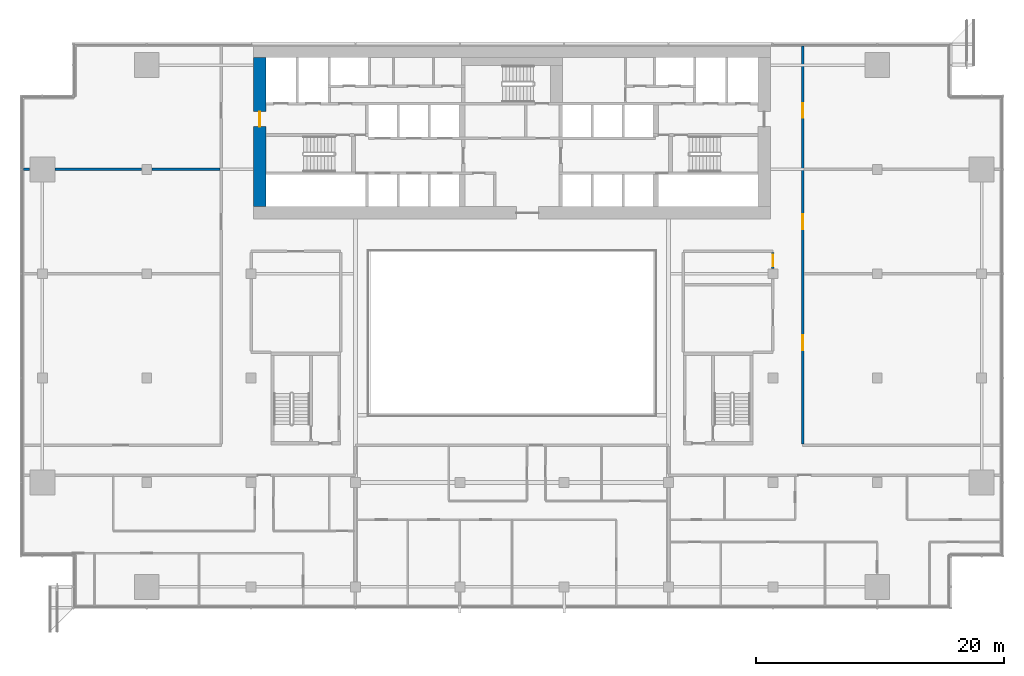
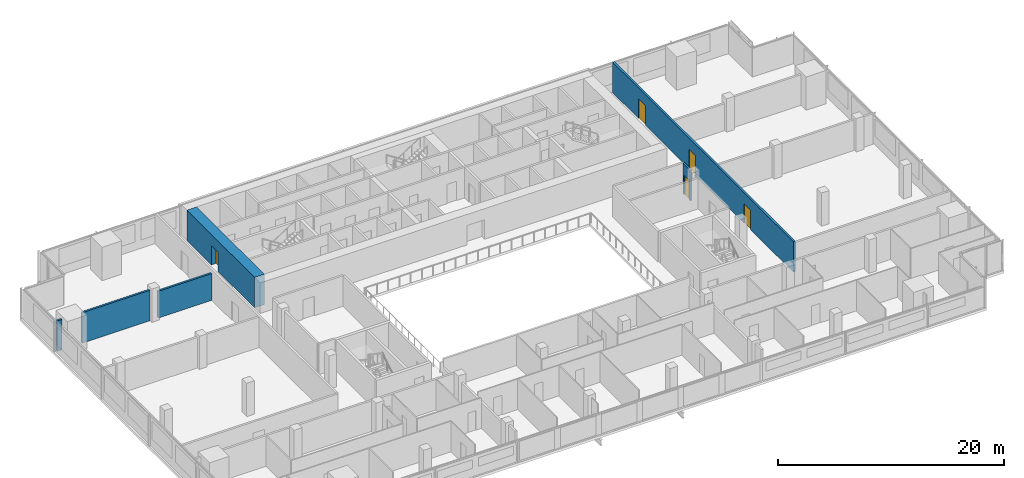
# One storey, part 19 of 26: 6 walls, 5 doors, 5 openings.
"""IFC4 building model written with IfcOpenShell, lengths in metres."""

from ifc_helpers import new_model, si_unit, direction, frame, frame_2d, origin, place, context, subcontext, project, spatial, rectangle, extrude, material, layer, layer_set, type_object, element, fill, save


model = new_model("IFC4")

# Units and contexts
model_context = context("Model", 3, precision=1e-05, world=origin(), true_north=direction((0.0, 1.0)))
body_context = subcontext(model_context, "Body", "Model", "MODEL_VIEW")
ifc_project = project(units=[si_unit("LENGTHUNIT", "METRE"), si_unit("AREAUNIT", "SQUARE_METRE"), si_unit("VOLUMEUNIT", "CUBIC_METRE"), si_unit("PLANEANGLEUNIT", "RADIAN"), si_unit("MASSUNIT", "GRAM", prefix="KILO")], contexts=[model_context])

# Site, building, storey
site_placement = place(None, origin())
site = spatial("IfcSite", under=ifc_project, at=site_placement, CompositionType="ELEMENT")
building_placement = place(site_placement, origin())
building = spatial("IfcBuilding", under=site, at=building_placement, Name="Saffron Gate Tower", CompositionType="ELEMENT")
storey_placement = place(building_placement, frame((0.0, 0.0, 138.449951171875)))
storey = spatial("IfcBuildingStorey", under=building, at=storey_placement, Name="L33", CompositionType="ELEMENT", Elevation=138.449951171875)

# Wall, opening, door
ifc_material_1 = material(Name="Concrete C70", Category="concrete")
ifc_layer_1 = layer(ifc_material_1, 1.0)
ifc_layer_set_1 = layer_set([ifc_layer_1], Name="CW12 RC core wall 1000 C70")
wall_type_1 = type_object("IfcWallType", Name="CW12 RC core wall 1000 C70", PredefinedType="SOLIDWALL", material=ifc_layer_set_1)
wall_1_placement = place(storey_placement, frame((67.300048828125, 62.39990234375, 0.0), z_axis=(0.0, 0.0, 1.0), x_axis=(0.0, 1.0, 0.0)))
wall_1 = element("IfcWall", 1, at=wall_1_placement, inside=storey, type_object=wall_type_1, Name="Wall CW12-L33-3", PredefinedType="SOLIDWALL", context=body_context, shape_type="SweptSolid", body=[
    extrude(rectangle(XDim=12.0, YDim=1.0, at=frame_2d((6.0, 0.0))), origin(), (0.0, 0.0, 1.0), 3.300048828125),
])
opening_1_placement = place(wall_1_placement, frame((6.449951171875, 0.0, 0.0)))
opening_1 = element("IfcOpeningElement", 2, at=opening_1_placement, cuts=wall_1, Name="Opening CR-10", PredefinedType="OPENING", context=body_context, shape_type="SweptSolid", body=[
    extrude(rectangle(XDim=1.199951171875, YDim=2.10009765625, at=frame_2d((0.60009765625, 1.050048828125))), frame((0.0, 0.510009765625, 0.0), z_axis=(0.0, -1.0, 0.0), x_axis=(1.0, 0.0, 0.0)), (0.0, 0.0, 1.0), 1.02001953125),
])
ifc_material_2 = material(Name="Steel fire door set", Category="steel")
door_type_1 = type_object("IfcDoorType", Name="CD7 Core entrance door 1200x2100 EI 120", OperationType="NOTDEFINED", PredefinedType="DOOR", material=ifc_material_2)
door_1_placement = place(opening_1_placement, origin())
door_1 = element("IfcDoor", 3, at=door_1_placement, inside=storey, type_object=door_type_1, Name="DOOR CR-10", OperationType="SINGLE_SWING_LEFT", OverallHeight=2.10009765625, OverallWidth=1.199951171875, PredefinedType="DOOR", context=body_context, shape_type="SweptSolid", body=[
    extrude(rectangle(XDim=1.199951171875, YDim=2.10009765625, at=frame_2d((0.60009765625, 1.050048828125))), frame((0.0, 0.02490234375, 0.0), z_axis=(0.0, -1.0, 0.0), x_axis=(1.0, 0.0, 0.0)), (0.0, 0.0, 1.0), 0.050048828125),
])
fill(opening_1, door_1)

ifc_material_3 = material(Name="Clay brick masonry, rendered", Category="masonry")
ifc_layer_2 = layer(ifc_material_3, 0.199951171875)
ifc_layer_set_2 = layer_set([ifc_layer_2], Name="PW3 Corridor wall 200")
wall_type_2 = type_object("IfcWallType", Name="PW3 Corridor wall 200", PredefinedType="PARTITIONING", material=ifc_layer_set_2)
wall_2_placement = place(storey_placement, frame((108.60009765625, 57.419921875, 0.0), z_axis=(0.0, 0.0, 1.0), x_axis=(0.0, 1.0, 0.0)))
wall_2 = element("IfcWall", 4, at=wall_2_placement, inside=storey, type_object=wall_type_2, Name="Wall B5-65", PredefinedType="PARTITIONING", context=body_context, shape_type="SweptSolid", body=[
    extrude(rectangle(XDim=1.280029296875, YDim=0.199951171875, at=frame_2d((0.64013671875, 0.0))), origin(), (0.0, 0.0, 1.0), 3.300048828125),
])
opening_2_placement = place(wall_2_placement, frame((0.18994140625, 0.0, 0.0)))
opening_2 = element("IfcOpeningElement", 5, at=opening_2_placement, cuts=wall_2, Name="Opening B5-18", PredefinedType="OPENING", context=body_context, shape_type="SweptSolid", body=[
    extrude(rectangle(XDim=0.89990234375, YDim=2.10009765625, at=frame_2d((0.449951171875, 1.050048828125))), frame((0.0, 0.10986328125, 0.0), z_axis=(0.0, -1.0, 0.0), x_axis=(1.0, 0.0, 0.0)), (0.0, 0.0, 1.0), 0.219970703125),
])
ifc_material_4 = material(Name="Timber door set", Category="wood")
door_type_2 = type_object("IfcDoorType", Name="RD1 Room door 900x2100", OperationType="NOTDEFINED", PredefinedType="DOOR", material=ifc_material_4)
door_2_placement = place(opening_2_placement, origin())
door_2 = element("IfcDoor", 6, at=door_2_placement, inside=storey, type_object=door_type_2, Name="Door B5-18", OperationType="SINGLE_SWING_RIGHT", OverallHeight=2.10009765625, OverallWidth=0.89990234375, PredefinedType="DOOR", context=body_context, shape_type="SweptSolid", body=[
    extrude(rectangle(XDim=0.89990234375, YDim=2.10009765625, at=frame_2d((0.449951171875, 1.050048828125))), frame((0.0, 0.02490234375, 0.0), z_axis=(0.0, -1.0, 0.0), x_axis=(1.0, 0.0, 0.0)), (0.0, 0.0, 1.0), 0.050048828125),
])
fill(opening_2, door_2)

# Wall, openings, doors
wall_3_placement = place(storey_placement, frame((111.0, 75.320068359375, 0.0), z_axis=(0.0, 0.0, 1.0), x_axis=(0.0, -1.0, 0.0)))
wall_3 = element("IfcWall", 7, at=wall_3_placement, inside=storey, type_object=wall_type_2, Name="Wall B5-67", PredefinedType="PARTITIONING", context=body_context, shape_type="SweptSolid", body=[
    extrude(rectangle(XDim=32.02001953125, YDim=0.199951171875, at=frame_2d((16.010009765625, 0.0))), origin(), (0.0, 0.0, 1.0), 3.300048828125),
])
opening_3_placement = place(wall_3_placement, frame((4.57861328125, 0.0, 0.0)))
opening_3 = element("IfcOpeningElement", 8, at=opening_3_placement, cuts=wall_3, Name="Opening B5-27", PredefinedType="OPENING", context=body_context, shape_type="SweptSolid", body=[
    extrude(rectangle(XDim=1.199951171875, YDim=2.10009765625, at=frame_2d((0.60009765625, 1.050048828125))), frame((0.0, 0.10986328125, 0.0), z_axis=(0.0, -1.0, 0.0), x_axis=(1.0, 0.0, 0.0)), (0.0, 0.0, 1.0), 0.219970703125),
])
opening_4_placement = place(wall_3_placement, frame((13.52001953125, 0.0, 0.0)))
opening_4 = element("IfcOpeningElement", 9, at=opening_4_placement, cuts=wall_3, Name="Opening B5-26", PredefinedType="OPENING", context=body_context, shape_type="SweptSolid", body=[
    extrude(rectangle(XDim=1.199951171875, YDim=2.10009765625, at=frame_2d((0.60009765625, 1.050048828125))), frame((0.0, 0.10986328125, 0.0), z_axis=(0.0, -1.0, 0.0), x_axis=(1.0, 0.0, 0.0)), (0.0, 0.0, 1.0), 0.219970703125),
])
opening_5_placement = place(wall_3_placement, frame((23.27001953125, 0.0, 0.0)))
opening_5 = element("IfcOpeningElement", 10, at=opening_5_placement, cuts=wall_3, Name="Opening B5-25", PredefinedType="OPENING", context=body_context, shape_type="SweptSolid", body=[
    extrude(rectangle(XDim=1.199951171875, YDim=2.10009765625, at=frame_2d((0.60009765625, 1.050048828125))), frame((0.0, 0.10986328125, 0.0), z_axis=(0.0, -1.0, 0.0), x_axis=(1.0, 0.0, 0.0)), (0.0, 0.0, 1.0), 0.219970703125),
])
door_type_3 = type_object("IfcDoorType", Name="HD1 Hall door 1200x2100", OperationType="NOTDEFINED", PredefinedType="DOOR", material=ifc_material_4)
door_3_placement = place(opening_3_placement, origin())
door_3 = element("IfcDoor", 11, at=door_3_placement, inside=storey, type_object=door_type_3, Name="Door B5-27", OperationType="SINGLE_SWING_RIGHT", OverallHeight=2.10009765625, OverallWidth=1.199951171875, PredefinedType="DOOR", context=body_context, shape_type="SweptSolid", body=[
    extrude(rectangle(XDim=1.199951171875, YDim=2.10009765625, at=frame_2d((0.60009765625, 1.050048828125))), frame((0.0, 0.02490234375, 0.0), z_axis=(0.0, -1.0, 0.0), x_axis=(1.0, 0.0, 0.0)), (0.0, 0.0, 1.0), 0.050048828125),
])
fill(opening_3, door_3)
door_4_placement = place(opening_4_placement, origin())
door_4 = element("IfcDoor", 12, at=door_4_placement, inside=storey, type_object=door_type_3, Name="Door B5-26", OperationType="SINGLE_SWING_LEFT", OverallHeight=2.10009765625, OverallWidth=1.199951171875, PredefinedType="DOOR", context=body_context, shape_type="SweptSolid", body=[
    extrude(rectangle(XDim=1.199951171875, YDim=2.10009765625, at=frame_2d((0.60009765625, 1.050048828125))), frame((0.0, 0.02490234375, 0.0), z_axis=(0.0, -1.0, 0.0), x_axis=(1.0, 0.0, 0.0)), (0.0, 0.0, 1.0), 0.050048828125),
])
fill(opening_4, door_4)
door_5_placement = place(opening_5_placement, origin())
door_5 = element("IfcDoor", 13, at=door_5_placement, inside=storey, type_object=door_type_3, Name="Door B5-25", OperationType="SINGLE_SWING_RIGHT", OverallHeight=2.10009765625, OverallWidth=1.199951171875, PredefinedType="DOOR", context=body_context, shape_type="SweptSolid", body=[
    extrude(rectangle(XDim=1.199951171875, YDim=2.10009765625, at=frame_2d((0.60009765625, 1.050048828125))), frame((0.0, 0.02490234375, 0.0), z_axis=(0.0, -1.0, 0.0), x_axis=(1.0, 0.0, 0.0)), (0.0, 0.0, 1.0), 0.050048828125),
])
fill(opening_5, door_5)

# Walls
ifc_layer_3 = layer(ifc_material_3, 0.199951171875)
ifc_layer_set_3 = layer_set([ifc_layer_3], Name="PW5 Room wall 200")
wall_type_3 = type_object("IfcWallType", Name="PW5 Room wall 200", PredefinedType="PARTITIONING", material=ifc_layer_set_3)
wall_4_placement = place(storey_placement, frame((48.280029296875, 65.39990234375, 0.0), z_axis=(0.0, 0.0, 1.0), x_axis=(1.0, 0.0, 0.0)))
element("IfcWall", 14, at=wall_4_placement, inside=storey, type_object=wall_type_3, Name="Wall B5-29", PredefinedType="PARTITIONING", context=body_context, shape_type="SweptSolid", body=[
    extrude(rectangle(XDim=0.5, YDim=0.199951171875, at=frame_2d((0.25, 0.0))), origin(), (0.0, 0.0, 1.0), 3.300048828125),
])
wall_5_placement = place(storey_placement, frame((50.820068359375, 65.39990234375, 0.0), z_axis=(0.0, 0.0, 1.0), x_axis=(1.0, 0.0, 0.0)))
element("IfcWall", 15, at=wall_5_placement, inside=storey, type_object=wall_type_3, Name="Wall B5-30", PredefinedType="PARTITIONING", context=body_context, shape_type="SweptSolid", body=[
    extrude(rectangle(XDim=6.9599609375, YDim=0.199951171875, at=frame_2d((3.47998046875, 0.0))), origin(), (0.0, 0.0, 1.0), 3.300048828125),
])
wall_6_placement = place(storey_placement, frame((58.6201171875, 65.39990234375, 0.0), z_axis=(0.0, 0.0, 1.0), x_axis=(1.0, 0.0, 0.0)))
element("IfcWall", 16, at=wall_6_placement, inside=storey, type_object=wall_type_3, Name="Wall B5-31", PredefinedType="PARTITIONING", context=body_context, shape_type="SweptSolid", body=[
    extrude(rectangle(XDim=5.47998046875, YDim=0.199951171875, at=frame_2d((2.739990234375, 0.0))), origin(), (0.0, 0.0, 1.0), 2.900146484375),
])

save(model, "model.ifc")
